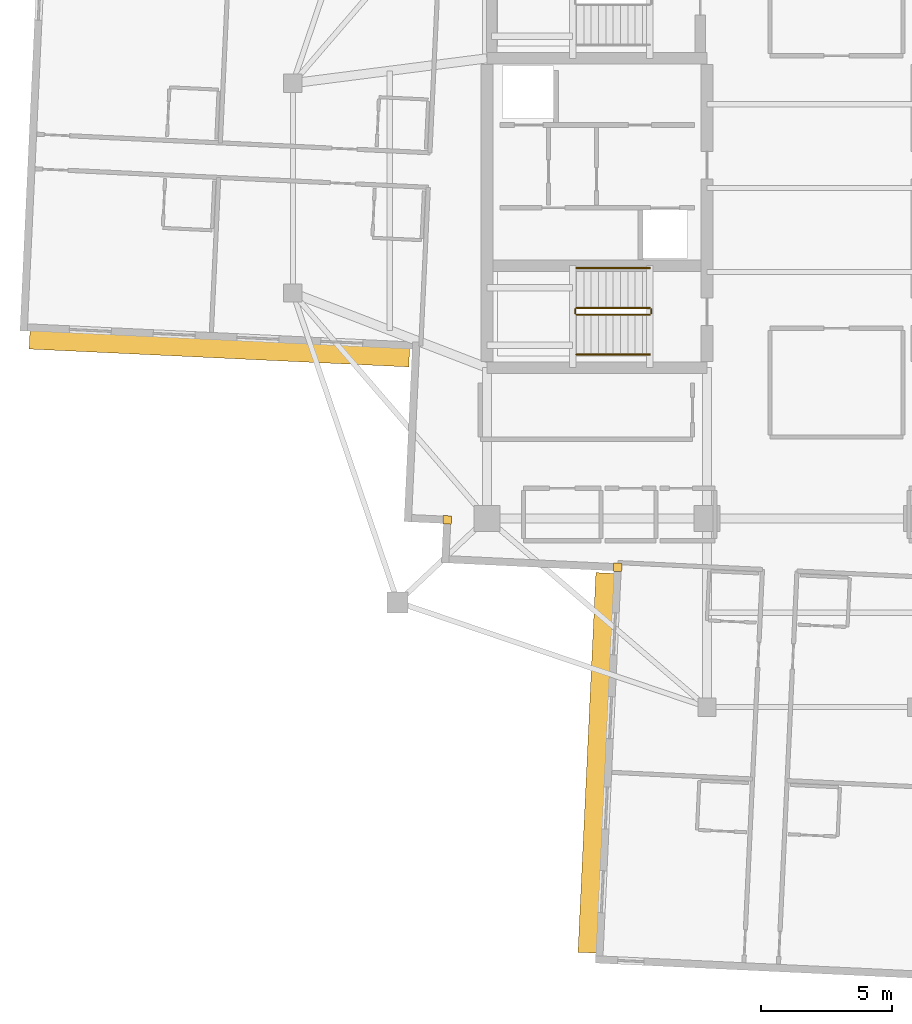
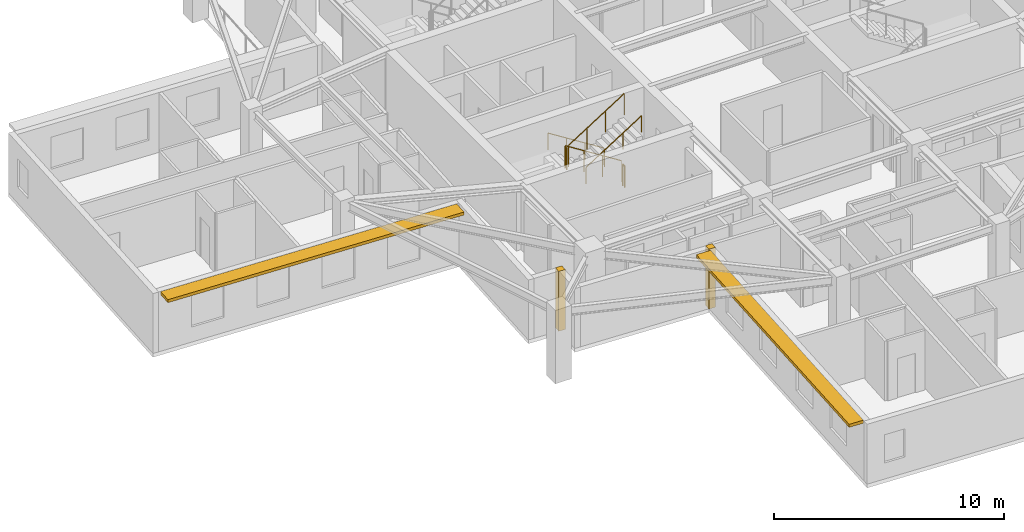
# One storey, part 9 of 12: 6 railings, 2 coverings, 2 shading devices.
"""IFC4 building model written with IfcOpenShell, lengths in metres."""

from ifc_helpers import new_model, si_unit, direction, frame, origin, origin_2d, place, context, subcontext, project, spatial, rectangle, circle, extrude, material, layer, layer_set, type_object, element, save


model = new_model("IFC4")

# Units and contexts
model_context = context("Model", 3, precision=1e-05, world=origin(), true_north=direction((0.0, 1.0)))
body_context = subcontext(model_context, "Body", "Model", "MODEL_VIEW")
ifc_project = project(units=[si_unit("LENGTHUNIT", "METRE"), si_unit("AREAUNIT", "SQUARE_METRE"), si_unit("VOLUMEUNIT", "CUBIC_METRE"), si_unit("PLANEANGLEUNIT", "RADIAN"), si_unit("MASSUNIT", "GRAM", prefix="KILO")], contexts=[model_context])

# Site, building, storey
site_placement = place(None, origin())
site = spatial("IfcSite", under=ifc_project, at=site_placement, CompositionType="ELEMENT")
building_placement = place(site_placement, origin())
building = spatial("IfcBuilding", under=site, at=building_placement, Name="Qingluan Cross Belvedere", CompositionType="ELEMENT")
storey_placement = place(building_placement, frame((0.0, 0.0, 253.800048828125)))
storey = spatial("IfcBuildingStorey", under=building, at=storey_placement, Name="L63", CompositionType="ELEMENT", Elevation=253.800048828125)

# Coverings
ifc_material_1 = material(Name="Precast concrete C45", Category="concrete")
ifc_layer_1 = layer(ifc_material_1, 0.1201171875, Name="ConcreteSpandrelCladding_120")
ifc_layer_set_1 = layer_set([ifc_layer_1], Name="Precast concrete C45")
covering_type = type_object("IfcCoveringType", Name="ConcreteSpandrelCladding_120", PredefinedType="CLADDING", material=ifc_layer_set_1)
for number, where, z_axis, x_axis, name in (
    (1, (-13.911865234375, -12.65869140625, 0.0), (0.0, 0.0, 1.0), (0.998889874962, -0.04710645071, 0.0), "Corner closure L63-SW1"),
    (2, (-7.40966796875, -14.467041015625, 0.0), (0.0, 0.0, 1.0), (0.998889874962, -0.04710645071, 0.0), "Corner closure L63-SW2"),
):
    element("IfcCovering", number, at=place(storey_placement, frame(where, z_axis=z_axis, x_axis=x_axis)), inside=storey, type_object=covering_type, Name=name, PredefinedType="CLADDING", context=body_context, shape_type="SweptSolid", body=[
        extrude(rectangle(XDim=0.320068359375, YDim=0.320068359375, at=origin_2d()), origin(), (0.0, 0.0, 1.0), 3.179931640625),
    ])

# Shading devices
ifc_material_2 = material(Name="Precast concrete C45", Category="concrete")
ifc_layer_2 = layer(ifc_material_2, 0.139892578125, Name="ConcreteSunshadeBand_700")
ifc_layer_set_2 = layer_set([ifc_layer_2], Name="Precast concrete C45")
shading_device_type = type_object("IfcShadingDeviceType", Name="ConcreteSunshadeBand_700", PredefinedType="USERDEFINED", material=ifc_layer_set_2)
for number, where, z_axis, x_axis, name in (
    (3, (-22.60400390625, -6.132080078125, 3.0), (0.0, 0.0, 1.0), (0.99888976521, -0.047108777928, 0.0), "Concrete SUNSHADE L63-WB"),
    (4, (-8.23193359375, -21.926513671875, 3.0), (0.0, 0.0, 1.0), (-0.047109098032, -0.998889750114, 0.0), "Concrete SUNSHADE L63-SA"),
):
    element("IfcShadingDevice", number, at=place(storey_placement, frame(where, z_axis=z_axis, x_axis=x_axis)), inside=storey, type_object=shading_device_type, Name=name, ObjectType="SUNSHADE", PredefinedType="USERDEFINED", context=body_context, shape_type="SweptSolid", body=[
        extrude(rectangle(XDim=14.5, YDim=0.699951171875, at=origin_2d()), origin(), (0.0, 0.0, 1.0), 0.159912109375),
    ])

# Railings
ifc_material_3 = material(Name="Brushed stainless steel tubular handrail", Category="steel")
railing_type_1 = type_object("IfcRailingType", Name="StairPitchHandrail_900", PredefinedType="HANDRAIL", material=ifc_material_3)
railing_1_placement = place(storey_placement, frame((-6.179931640625, -3.050048828125, 0.17724609375)))
element("IfcRailing", 5, at=railing_1_placement, inside=storey, type_object=railing_type_1, Name="L63 ST1 stair handrail 1", PredefinedType="HANDRAIL", context=body_context, shape_type="SweptSolid", body=[
    extrude(circle(Radius=0.02392578125, at=origin_2d()), frame((0.0, 0.0, 0.8759765625), z_axis=(-0.844908973607, 0.0, 0.534910110503), x_axis=(0.0, -1.0, 0.0)), (0.0, 0.0, 1.0), 3.31396484375),
    extrude(circle(Radius=0.02099609375, at=origin_2d()), origin(), (0.0, 0.0, 1.0), 0.851806640625),
    extrude(circle(Radius=0.02099609375, at=origin_2d()), frame((-0.933349609375, 0.0, 0.5908203125)), (0.0, 0.0, 1.0), 0.851806640625),
    extrude(circle(Radius=0.02099609375, at=origin_2d()), frame((-1.86669921875, 0.0, 1.181884765625)), (0.0, 0.0, 1.0), 0.851806640625),
    extrude(circle(Radius=0.02099609375, at=origin_2d()), frame((-2.800048828125, 0.0, 1.772705078125)), (0.0, 0.0, 1.0), 0.851806640625),
])
railing_2_placement = place(storey_placement, frame((-8.97998046875, -6.35009765625, 2.127197265625)))
element("IfcRailing", 6, at=railing_2_placement, inside=storey, type_object=railing_type_1, Name="L63 ST1 stair handrail 2", PredefinedType="HANDRAIL", context=body_context, shape_type="SweptSolid", body=[
    extrude(circle(Radius=0.02392578125, at=origin_2d()), frame((0.0, 0.0, 0.8759765625), z_axis=(0.844908973607, 0.0, 0.534910110503), x_axis=(0.0, 1.0, 0.0)), (0.0, 0.0, 1.0), 3.31396484375),
    extrude(circle(Radius=0.02099609375, at=origin_2d()), origin(), (0.0, 0.0, 1.0), 0.851806640625),
    extrude(circle(Radius=0.02099609375, at=origin_2d()), frame((0.933349609375, 0.0, 0.5908203125)), (0.0, 0.0, 1.0), 0.851806640625),
    extrude(circle(Radius=0.02099609375, at=origin_2d()), frame((1.86669921875, 0.0, 1.181884765625)), (0.0, 0.0, 1.0), 0.851806640625),
    extrude(circle(Radius=0.02099609375, at=origin_2d()), frame((2.800048828125, 0.0, 1.772705078125)), (0.0, 0.0, 1.0), 0.851806640625),
])
ifc_material_4 = material(Name="Painted steel stair well guard", Category="steel")
railing_type_2 = type_object("IfcRailingType", Name="StairWellGuard_1150", PredefinedType="BALUSTRADE", material=ifc_material_4)
railing_3_placement = place(storey_placement, frame((-6.179931640625, -4.570068359375, 0.17724609375)))
element("IfcRailing", 7, at=railing_3_placement, inside=storey, type_object=railing_type_2, Name="L63 ST1 stair guard 1", PredefinedType="BALUSTRADE", context=body_context, shape_type="SweptSolid", body=[
    extrude(circle(Radius=0.02392578125, at=origin_2d()), frame((0.0, 0.0, 1.1259765625), z_axis=(-0.844908973607, 0.0, 0.534910110503), x_axis=(0.0, -1.0, 0.0)), (0.0, 0.0, 1.0), 3.31396484375),
    extrude(circle(Radius=0.02099609375, at=origin_2d()), origin(), (0.0, 0.0, 1.0), 1.101806640625),
    extrude(circle(Radius=0.02099609375, at=origin_2d()), frame((-0.933349609375, 0.0, 0.5908203125)), (0.0, 0.0, 1.0), 1.101806640625),
    extrude(circle(Radius=0.02099609375, at=origin_2d()), frame((-1.86669921875, 0.0, 1.181884765625)), (0.0, 0.0, 1.0), 1.101806640625),
    extrude(circle(Radius=0.02099609375, at=origin_2d()), frame((-2.800048828125, 0.0, 1.772705078125)), (0.0, 0.0, 1.0), 1.101806640625),
])
railing_4_placement = place(storey_placement, frame((-9.030029296875, -4.6201171875, 1.949951171875)))
element("IfcRailing", 8, at=railing_4_placement, inside=storey, type_object=railing_type_2, Name="L63 ST1 stair guard 2", PredefinedType="BALUSTRADE", context=body_context, shape_type="SweptSolid", body=[
    extrude(circle(Radius=0.02392578125, at=origin_2d()), frame((0.0, 0.0, 1.1259765625), z_axis=(0.0, -1.0, 0.0), x_axis=(1.0, 0.0, 0.0)), (0.0, 0.0, 1.0), 0.159912109375),
    extrude(circle(Radius=0.02099609375, at=origin_2d()), origin(), (0.0, 0.0, 1.0), 1.101806640625),
    extrude(circle(Radius=0.02099609375, at=origin_2d()), frame((0.0, -0.159912109375, 0.0)), (0.0, 0.0, 1.0), 1.101806640625),
])
railing_5_placement = place(storey_placement, frame((-8.97998046875, -4.830078125, 2.127197265625)))
element("IfcRailing", 9, at=railing_5_placement, inside=storey, type_object=railing_type_2, Name="L63 ST1 stair guard 3", PredefinedType="BALUSTRADE", context=body_context, shape_type="SweptSolid", body=[
    extrude(circle(Radius=0.02392578125, at=origin_2d()), frame((0.0, 0.0, 1.1259765625), z_axis=(0.844908973607, 0.0, 0.534910110503), x_axis=(0.0, 1.0, 0.0)), (0.0, 0.0, 1.0), 3.31396484375),
    extrude(circle(Radius=0.02099609375, at=origin_2d()), origin(), (0.0, 0.0, 1.0), 1.101806640625),
    extrude(circle(Radius=0.02099609375, at=origin_2d()), frame((0.933349609375, 0.0, 0.5908203125)), (0.0, 0.0, 1.0), 1.101806640625),
    extrude(circle(Radius=0.02099609375, at=origin_2d()), frame((1.86669921875, 0.0, 1.181884765625)), (0.0, 0.0, 1.0), 1.101806640625),
    extrude(circle(Radius=0.02099609375, at=origin_2d()), frame((2.800048828125, 0.0, 1.772705078125)), (0.0, 0.0, 1.0), 1.101806640625),
])
railing_6_placement = place(storey_placement, frame((-6.1298828125, -4.6201171875, 0.0)))
element("IfcRailing", 10, at=railing_6_placement, inside=storey, type_object=railing_type_2, Name="L63 ST1 stair guard 4", PredefinedType="BALUSTRADE", context=body_context, shape_type="SweptSolid", body=[
    extrude(circle(Radius=0.02392578125, at=origin_2d()), frame((0.0, 0.0, 1.1259765625), z_axis=(0.0, -1.0, 0.0), x_axis=(1.0, 0.0, 0.0)), (0.0, 0.0, 1.0), 0.159912109375),
    extrude(circle(Radius=0.02099609375, at=origin_2d()), origin(), (0.0, 0.0, 1.0), 1.101806640625),
    extrude(circle(Radius=0.02099609375, at=origin_2d()), frame((0.0, -0.159912109375, 0.0)), (0.0, 0.0, 1.0), 1.101806640625),
])

save(model, "model.ifc")
